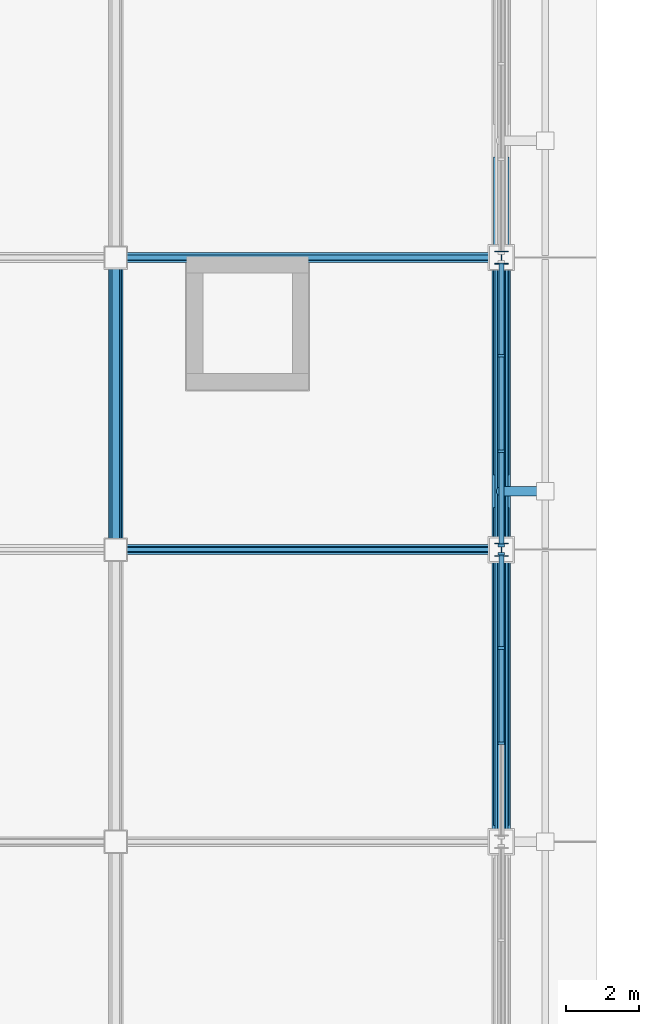
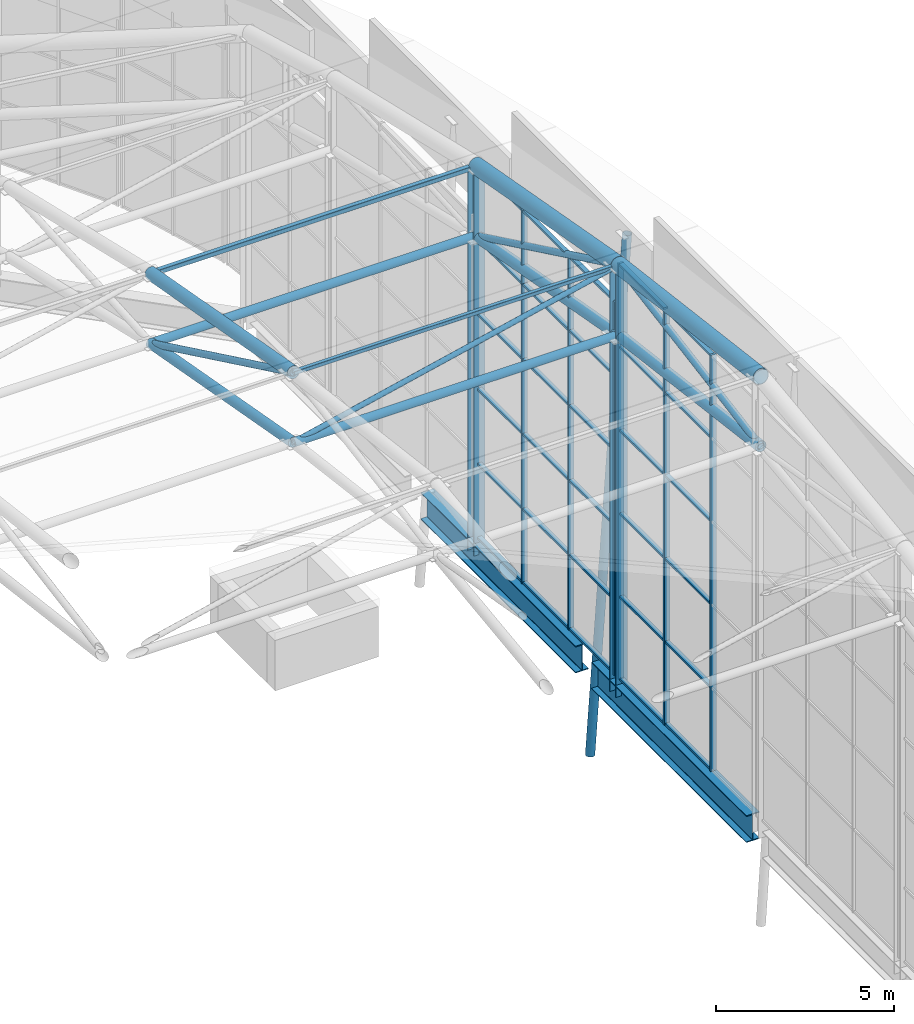
# One storey, part 25 of 42: 53 members, 2 beams, 2 elements without a shape of their own.
"""IFC4 building model written with IfcOpenShell, lengths in metres."""

from ifc_helpers import new_model, si_unit, direction, frame, origin, origin_2d, place, context, subcontext, project, spatial, rectangle, hollow_rectangle, hollow_circle, i_section, extrude, material, layer, layer_set, material_profile, profile_set, type_object, element, aggregate, save


model = new_model("IFC4")

# Units and contexts
model_context = context("Model", 3, precision=1e-05, world=origin(), true_north=direction((0.0, 1.0)))
body_context = subcontext(model_context, "Body", "Model", "MODEL_VIEW")
ifc_project = project(units=[si_unit("LENGTHUNIT", "METRE"), si_unit("AREAUNIT", "SQUARE_METRE"), si_unit("VOLUMEUNIT", "CUBIC_METRE"), si_unit("PLANEANGLEUNIT", "RADIAN"), si_unit("MASSUNIT", "GRAM", prefix="KILO")], contexts=[model_context])

# Site, building, storey
site_placement = place(None, origin())
site = spatial("IfcSite", under=ifc_project, at=site_placement, CompositionType="ELEMENT")
building_placement = place(site_placement, origin())
building = spatial("IfcBuilding", under=site, at=building_placement, Name="Caelomonte Colonnade Arena", CompositionType="ELEMENT")
storey_placement = place(building_placement, frame((0.0, 0.0, 28.199951171875)))
storey = spatial("IfcBuildingStorey", under=building, at=storey_placement, Name="RF", CompositionType="ELEMENT", Elevation=28.199951171875)

# Curtain wall, members
ifc_material_1 = material(Name="Bronze anodised aluminium and low-E glazing", Category="aluminium")
ifc_layer_1 = layer(ifc_material_1, 0.179931640625)
ifc_layer_set_1 = layer_set([ifc_layer_1], Name="Bronze anodised aluminium and low-E glazing")
curtain_wall_type_1 = type_object("IfcCurtainWallType", Name="ENV-CW-CW-TYMP-05", PredefinedType="USERDEFINED", material=ifc_layer_set_1)
curtain_wall_1_placement = place(storey_placement, origin())
curtain_wall_1 = element("IfcCurtainWall", 1, at=curtain_wall_1_placement, inside=storey, type_object=curtain_wall_type_1, Name="Barrel arch E clerestory tympanum curtain wall 5", ObjectType="UNITIZED CURTAIN WALL", PredefinedType="USERDEFINED")
ifc_material_2 = material(Name="Bronze anodised aluminium AA6063-T6", Category="aluminium")
ifc_material_profile_1 = material_profile(ifc_material_2, rectangle(XDim=0.070068359375, YDim=0.179931640625, at=origin_2d()), Name="CWM-70X180")
ifc_profile_set_1 = profile_set([ifc_material_profile_1], Name="Bronze anodised aluminium AA6063-T6")
member_type_1 = type_object("IfcMemberType", Name="ENV-CW-MULL1", PredefinedType="MULLION", material=ifc_profile_set_1)
member_1_placement = place(storey_placement, frame((163.199951171875, 69.893310546875, -0.14990234375), z_axis=(0.0, 0.0, 1.0), x_axis=(0.0, 1.0, 0.0)))
member_1 = element("IfcMember", 2, at=member_1_placement, type_object=member_type_1, Name="CW-TYMP-05 mullion 2", PredefinedType="MULLION", context=body_context, shape_type="SweptSolid", body=[
    extrude(rectangle(XDim=0.070068359375, YDim=0.179931640625, at=origin_2d()), origin(), (0.0, 0.0, 1.0), 14.284912109375),
])
member_2_placement = place(storey_placement, frame((163.199951171875, 72.506591796875, -0.14990234375), z_axis=(0.0, 0.0, 1.0), x_axis=(0.0, 1.0, 0.0)))
member_2 = element("IfcMember", 3, at=member_2_placement, type_object=member_type_1, Name="CW-TYMP-05 mullion 3", PredefinedType="MULLION", context=body_context, shape_type="SweptSolid", body=[
    extrude(rectangle(XDim=0.070068359375, YDim=0.179931640625, at=origin_2d()), origin(), (0.0, 0.0, 1.0), 14.284912109375),
])
member_3_placement = place(storey_placement, frame((163.199951171875, 75.0849609375, -0.14990234375), z_axis=(0.0, 0.0, 1.0), x_axis=(0.0, 1.0, 0.0)))
member_3 = element("IfcMember", 4, at=member_3_placement, type_object=member_type_1, Name="CW-TYMP-05 mullion 4", PredefinedType="MULLION", context=body_context, shape_type="SweptSolid", body=[
    extrude(rectangle(XDim=0.070068359375, YDim=0.179931640625, at=origin_2d()), origin(), (0.0, 0.0, 1.0), 14.284912109375),
])

ifc_layer_2 = layer(ifc_material_1, 0.179931640625)
ifc_layer_set_2 = layer_set([ifc_layer_2], Name="Bronze anodised aluminium and low-E glazing")
curtain_wall_type_2 = type_object("IfcCurtainWallType", Name="ENV-CW-CW-TYMP-06", PredefinedType="USERDEFINED", material=ifc_layer_set_2)
curtain_wall_2_placement = place(storey_placement, origin())
curtain_wall_2 = element("IfcCurtainWall", 5, at=curtain_wall_2_placement, inside=storey, type_object=curtain_wall_type_2, Name="Barrel arch E clerestory tympanum curtain wall 6", ObjectType="UNITIZED CURTAIN WALL", PredefinedType="USERDEFINED")
member_4_placement = place(storey_placement, frame((163.199951171875, 75.31494140625, -0.14990234375), z_axis=(0.0, 0.0, 1.0), x_axis=(0.0, 1.0, 0.0)))
member_4 = element("IfcMember", 6, at=member_4_placement, type_object=member_type_1, Name="CW-TYMP-06 mullion 1", PredefinedType="MULLION", context=body_context, shape_type="SweptSolid", body=[
    extrude(rectangle(XDim=0.070068359375, YDim=0.179931640625, at=origin_2d()), origin(), (0.0, 0.0, 1.0), 12.8359375),
])
member_5_placement = place(storey_placement, frame((163.199951171875, 77.893310546875, -0.14990234375), z_axis=(0.0, 0.0, 1.0), x_axis=(0.0, 1.0, 0.0)))
member_5 = element("IfcMember", 7, at=member_5_placement, type_object=member_type_1, Name="CW-TYMP-06 mullion 2", PredefinedType="MULLION", context=body_context, shape_type="SweptSolid", body=[
    extrude(rectangle(XDim=0.070068359375, YDim=0.179931640625, at=origin_2d()), origin(), (0.0, 0.0, 1.0), 12.8359375),
])
member_6_placement = place(storey_placement, frame((163.199951171875, 80.506591796875, -0.14990234375), z_axis=(0.0, 0.0, 1.0), x_axis=(0.0, 1.0, 0.0)))
member_6 = element("IfcMember", 8, at=member_6_placement, type_object=member_type_1, Name="CW-TYMP-06 mullion 3", PredefinedType="MULLION", context=body_context, shape_type="SweptSolid", body=[
    extrude(rectangle(XDim=0.070068359375, YDim=0.179931640625, at=origin_2d()), origin(), (0.0, 0.0, 1.0), 12.8359375),
])

# Member
ifc_material_profile_2 = material_profile(ifc_material_2, rectangle(XDim=0.070068359375, YDim=0.139892578125, at=origin_2d()), Name="CWT-70X140")
ifc_profile_set_2 = profile_set([ifc_material_profile_2], Name="Bronze anodised aluminium AA6063-T6")
member_type_2 = type_object("IfcMemberType", Name="ENV-CW-TRAN1", PredefinedType="USERDEFINED", material=ifc_profile_set_2)
member_7_placement = place(storey_placement, frame((163.199951171875, 69.92822265625, -0.114990234375), z_axis=(0.0, 1.0, 0.0), x_axis=(0.0, 0.0, 1.0)))
member_7 = element("IfcMember", 9, at=member_7_placement, type_object=member_type_2, Name="CW-TYMP-05 transom 2.1", ObjectType="TRANSOM", PredefinedType="USERDEFINED", context=body_context, shape_type="SweptSolid", body=[
    extrude(rectangle(XDim=0.070068359375, YDim=0.139892578125, at=origin_2d()), origin(), (0.0, 0.0, 1.0), 2.54345703125),
])

member_8_placement = place(storey_placement, frame((163.199951171875, 69.92822265625, 2.70703125), z_axis=(0.0, 1.0, 0.0), x_axis=(0.0, 0.0, 1.0)))
member_8 = element("IfcMember", 10, at=member_8_placement, type_object=member_type_2, Name="CW-TYMP-05 transom 2.2", ObjectType="TRANSOM", PredefinedType="USERDEFINED", context=body_context, shape_type="SweptSolid", body=[
    extrude(rectangle(XDim=0.070068359375, YDim=0.139892578125, at=origin_2d()), origin(), (0.0, 0.0, 1.0), 2.54345703125),
])

member_9_placement = place(storey_placement, frame((163.199951171875, 69.92822265625, 5.56396484375), z_axis=(0.0, 1.0, 0.0), x_axis=(0.0, 0.0, 1.0)))
member_9 = element("IfcMember", 11, at=member_9_placement, type_object=member_type_2, Name="CW-TYMP-05 transom 2.3", ObjectType="TRANSOM", PredefinedType="USERDEFINED", context=body_context, shape_type="SweptSolid", body=[
    extrude(rectangle(XDim=0.070068359375, YDim=0.139892578125, at=origin_2d()), origin(), (0.0, 0.0, 1.0), 2.54345703125),
])

member_10_placement = place(storey_placement, frame((163.199951171875, 69.92822265625, 8.421142578125), z_axis=(0.0, 1.0, 0.0), x_axis=(0.0, 0.0, 1.0)))
member_10 = element("IfcMember", 12, at=member_10_placement, type_object=member_type_2, Name="CW-TYMP-05 transom 2.4", ObjectType="TRANSOM", PredefinedType="USERDEFINED", context=body_context, shape_type="SweptSolid", body=[
    extrude(rectangle(XDim=0.070068359375, YDim=0.139892578125, at=origin_2d()), origin(), (0.0, 0.0, 1.0), 2.54345703125),
])

member_11_placement = place(storey_placement, frame((163.199951171875, 69.92822265625, 11.278076171875), z_axis=(0.0, 1.0, 0.0), x_axis=(0.0, 0.0, 1.0)))
member_11 = element("IfcMember", 13, at=member_11_placement, type_object=member_type_2, Name="CW-TYMP-05 transom 2.5", ObjectType="TRANSOM", PredefinedType="USERDEFINED", context=body_context, shape_type="SweptSolid", body=[
    extrude(rectangle(XDim=0.070068359375, YDim=0.139892578125, at=origin_2d()), origin(), (0.0, 0.0, 1.0), 2.54345703125),
])

member_12_placement = place(storey_placement, frame((163.199951171875, 69.92822265625, 14.10009765625), z_axis=(0.0, 1.0, 0.0), x_axis=(0.0, 0.0, 1.0)))
member_12 = element("IfcMember", 14, at=member_12_placement, type_object=member_type_2, Name="CW-TYMP-05 transom 2.6", ObjectType="TRANSOM", PredefinedType="USERDEFINED", context=body_context, shape_type="SweptSolid", body=[
    extrude(rectangle(XDim=0.070068359375, YDim=0.139892578125, at=origin_2d()), origin(), (0.0, 0.0, 1.0), 2.54345703125),
])

member_13_placement = place(storey_placement, frame((163.199951171875, 72.541748046875, -0.114990234375), z_axis=(0.0, 1.0, 0.0), x_axis=(0.0, 0.0, 1.0)))
member_13 = element("IfcMember", 15, at=member_13_placement, type_object=member_type_2, Name="CW-TYMP-05 transom 3.1", ObjectType="TRANSOM", PredefinedType="USERDEFINED", context=body_context, shape_type="SweptSolid", body=[
    extrude(rectangle(XDim=0.070068359375, YDim=0.139892578125, at=origin_2d()), origin(), (0.0, 0.0, 1.0), 2.50830078125),
])

member_14_placement = place(storey_placement, frame((163.199951171875, 72.541748046875, 2.70703125), z_axis=(0.0, 1.0, 0.0), x_axis=(0.0, 0.0, 1.0)))
member_14 = element("IfcMember", 16, at=member_14_placement, type_object=member_type_2, Name="CW-TYMP-05 transom 3.2", ObjectType="TRANSOM", PredefinedType="USERDEFINED", context=body_context, shape_type="SweptSolid", body=[
    extrude(rectangle(XDim=0.070068359375, YDim=0.139892578125, at=origin_2d()), origin(), (0.0, 0.0, 1.0), 2.50830078125),
])

member_15_placement = place(storey_placement, frame((163.199951171875, 72.541748046875, 5.56396484375), z_axis=(0.0, 1.0, 0.0), x_axis=(0.0, 0.0, 1.0)))
member_15 = element("IfcMember", 17, at=member_15_placement, type_object=member_type_2, Name="CW-TYMP-05 transom 3.3", ObjectType="TRANSOM", PredefinedType="USERDEFINED", context=body_context, shape_type="SweptSolid", body=[
    extrude(rectangle(XDim=0.070068359375, YDim=0.139892578125, at=origin_2d()), origin(), (0.0, 0.0, 1.0), 2.50830078125),
])

member_16_placement = place(storey_placement, frame((163.199951171875, 72.541748046875, 8.421142578125), z_axis=(0.0, 1.0, 0.0), x_axis=(0.0, 0.0, 1.0)))
member_16 = element("IfcMember", 18, at=member_16_placement, type_object=member_type_2, Name="CW-TYMP-05 transom 3.4", ObjectType="TRANSOM", PredefinedType="USERDEFINED", context=body_context, shape_type="SweptSolid", body=[
    extrude(rectangle(XDim=0.070068359375, YDim=0.139892578125, at=origin_2d()), origin(), (0.0, 0.0, 1.0), 2.50830078125),
])

member_17_placement = place(storey_placement, frame((163.199951171875, 72.541748046875, 11.278076171875), z_axis=(0.0, 1.0, 0.0), x_axis=(0.0, 0.0, 1.0)))
member_17 = element("IfcMember", 19, at=member_17_placement, type_object=member_type_2, Name="CW-TYMP-05 transom 3.5", ObjectType="TRANSOM", PredefinedType="USERDEFINED", context=body_context, shape_type="SweptSolid", body=[
    extrude(rectangle(XDim=0.070068359375, YDim=0.139892578125, at=origin_2d()), origin(), (0.0, 0.0, 1.0), 2.50830078125),
])

member_18_placement = place(storey_placement, frame((163.199951171875, 72.541748046875, 14.10009765625), z_axis=(0.0, 1.0, 0.0), x_axis=(0.0, 0.0, 1.0)))
member_18 = element("IfcMember", 20, at=member_18_placement, type_object=member_type_2, Name="CW-TYMP-05 transom 3.6", ObjectType="TRANSOM", PredefinedType="USERDEFINED", context=body_context, shape_type="SweptSolid", body=[
    extrude(rectangle(XDim=0.070068359375, YDim=0.139892578125, at=origin_2d()), origin(), (0.0, 0.0, 1.0), 2.50830078125),
])

aggregate(curtain_wall_1, [member_1, member_2, member_3, member_7, member_8, member_9, member_10, member_11, member_12, member_13, member_14, member_15, member_16, member_17, member_18])

member_19_placement = place(storey_placement, frame((163.199951171875, 75.35009765625, -0.114990234375), z_axis=(0.0, 1.0, 0.0), x_axis=(0.0, 0.0, 1.0)))
member_19 = element("IfcMember", 21, at=member_19_placement, type_object=member_type_2, Name="CW-TYMP-06 transom 1.1", ObjectType="TRANSOM", PredefinedType="USERDEFINED", context=body_context, shape_type="SweptSolid", body=[
    extrude(rectangle(XDim=0.070068359375, YDim=0.139892578125, at=origin_2d()), origin(), (0.0, 0.0, 1.0), 2.50830078125),
])

member_20_placement = place(storey_placement, frame((163.199951171875, 75.35009765625, 2.417236328125), z_axis=(0.0, 1.0, 0.0), x_axis=(0.0, 0.0, 1.0)))
member_20 = element("IfcMember", 22, at=member_20_placement, type_object=member_type_2, Name="CW-TYMP-06 transom 1.2", ObjectType="TRANSOM", PredefinedType="USERDEFINED", context=body_context, shape_type="SweptSolid", body=[
    extrude(rectangle(XDim=0.070068359375, YDim=0.139892578125, at=origin_2d()), origin(), (0.0, 0.0, 1.0), 2.50830078125),
])

member_21_placement = place(storey_placement, frame((163.199951171875, 75.35009765625, 4.984375), z_axis=(0.0, 1.0, 0.0), x_axis=(0.0, 0.0, 1.0)))
member_21 = element("IfcMember", 23, at=member_21_placement, type_object=member_type_2, Name="CW-TYMP-06 transom 1.3", ObjectType="TRANSOM", PredefinedType="USERDEFINED", context=body_context, shape_type="SweptSolid", body=[
    extrude(rectangle(XDim=0.070068359375, YDim=0.139892578125, at=origin_2d()), origin(), (0.0, 0.0, 1.0), 2.50830078125),
])

member_22_placement = place(storey_placement, frame((163.199951171875, 75.35009765625, 7.5517578125), z_axis=(0.0, 1.0, 0.0), x_axis=(0.0, 0.0, 1.0)))
member_22 = element("IfcMember", 24, at=member_22_placement, type_object=member_type_2, Name="CW-TYMP-06 transom 1.4", ObjectType="TRANSOM", PredefinedType="USERDEFINED", context=body_context, shape_type="SweptSolid", body=[
    extrude(rectangle(XDim=0.070068359375, YDim=0.139892578125, at=origin_2d()), origin(), (0.0, 0.0, 1.0), 2.50830078125),
])

member_23_placement = place(storey_placement, frame((163.199951171875, 75.35009765625, 10.118896484375), z_axis=(0.0, 1.0, 0.0), x_axis=(0.0, 0.0, 1.0)))
member_23 = element("IfcMember", 25, at=member_23_placement, type_object=member_type_2, Name="CW-TYMP-06 transom 1.5", ObjectType="TRANSOM", PredefinedType="USERDEFINED", context=body_context, shape_type="SweptSolid", body=[
    extrude(rectangle(XDim=0.070068359375, YDim=0.139892578125, at=origin_2d()), origin(), (0.0, 0.0, 1.0), 2.50830078125),
])

member_24_placement = place(storey_placement, frame((163.199951171875, 75.35009765625, 12.651123046875), z_axis=(0.0, 1.0, 0.0), x_axis=(0.0, 0.0, 1.0)))
member_24 = element("IfcMember", 26, at=member_24_placement, type_object=member_type_2, Name="CW-TYMP-06 transom 1.6", ObjectType="TRANSOM", PredefinedType="USERDEFINED", context=body_context, shape_type="SweptSolid", body=[
    extrude(rectangle(XDim=0.070068359375, YDim=0.139892578125, at=origin_2d()), origin(), (0.0, 0.0, 1.0), 2.50830078125),
])

member_25_placement = place(storey_placement, frame((163.199951171875, 77.92822265625, -0.114990234375), z_axis=(0.0, 1.0, 0.0), x_axis=(0.0, 0.0, 1.0)))
member_25 = element("IfcMember", 27, at=member_25_placement, type_object=member_type_2, Name="CW-TYMP-06 transom 2.1", ObjectType="TRANSOM", PredefinedType="USERDEFINED", context=body_context, shape_type="SweptSolid", body=[
    extrude(rectangle(XDim=0.070068359375, YDim=0.139892578125, at=origin_2d()), origin(), (0.0, 0.0, 1.0), 2.54345703125),
])

member_26_placement = place(storey_placement, frame((163.199951171875, 77.92822265625, 2.417236328125), z_axis=(0.0, 1.0, 0.0), x_axis=(0.0, 0.0, 1.0)))
member_26 = element("IfcMember", 28, at=member_26_placement, type_object=member_type_2, Name="CW-TYMP-06 transom 2.2", ObjectType="TRANSOM", PredefinedType="USERDEFINED", context=body_context, shape_type="SweptSolid", body=[
    extrude(rectangle(XDim=0.070068359375, YDim=0.139892578125, at=origin_2d()), origin(), (0.0, 0.0, 1.0), 2.54345703125),
])

member_27_placement = place(storey_placement, frame((163.199951171875, 77.92822265625, 4.984375), z_axis=(0.0, 1.0, 0.0), x_axis=(0.0, 0.0, 1.0)))
member_27 = element("IfcMember", 29, at=member_27_placement, type_object=member_type_2, Name="CW-TYMP-06 transom 2.3", ObjectType="TRANSOM", PredefinedType="USERDEFINED", context=body_context, shape_type="SweptSolid", body=[
    extrude(rectangle(XDim=0.070068359375, YDim=0.139892578125, at=origin_2d()), origin(), (0.0, 0.0, 1.0), 2.54345703125),
])

member_28_placement = place(storey_placement, frame((163.199951171875, 77.92822265625, 7.5517578125), z_axis=(0.0, 1.0, 0.0), x_axis=(0.0, 0.0, 1.0)))
member_28 = element("IfcMember", 30, at=member_28_placement, type_object=member_type_2, Name="CW-TYMP-06 transom 2.4", ObjectType="TRANSOM", PredefinedType="USERDEFINED", context=body_context, shape_type="SweptSolid", body=[
    extrude(rectangle(XDim=0.070068359375, YDim=0.139892578125, at=origin_2d()), origin(), (0.0, 0.0, 1.0), 2.54345703125),
])

member_29_placement = place(storey_placement, frame((163.199951171875, 77.92822265625, 10.118896484375), z_axis=(0.0, 1.0, 0.0), x_axis=(0.0, 0.0, 1.0)))
member_29 = element("IfcMember", 31, at=member_29_placement, type_object=member_type_2, Name="CW-TYMP-06 transom 2.5", ObjectType="TRANSOM", PredefinedType="USERDEFINED", context=body_context, shape_type="SweptSolid", body=[
    extrude(rectangle(XDim=0.070068359375, YDim=0.139892578125, at=origin_2d()), origin(), (0.0, 0.0, 1.0), 2.54345703125),
])

member_30_placement = place(storey_placement, frame((163.199951171875, 77.92822265625, 12.651123046875), z_axis=(0.0, 1.0, 0.0), x_axis=(0.0, 0.0, 1.0)))
member_30 = element("IfcMember", 32, at=member_30_placement, type_object=member_type_2, Name="CW-TYMP-06 transom 2.6", ObjectType="TRANSOM", PredefinedType="USERDEFINED", context=body_context, shape_type="SweptSolid", body=[
    extrude(rectangle(XDim=0.070068359375, YDim=0.139892578125, at=origin_2d()), origin(), (0.0, 0.0, 1.0), 2.54345703125),
])

member_31_placement = place(storey_placement, frame((163.199951171875, 80.541748046875, -0.114990234375), z_axis=(0.0, 1.0, 0.0), x_axis=(0.0, 0.0, 1.0)))
member_31 = element("IfcMember", 33, at=member_31_placement, type_object=member_type_2, Name="CW-TYMP-06 transom 3.1", ObjectType="TRANSOM", PredefinedType="USERDEFINED", context=body_context, shape_type="SweptSolid", body=[
    extrude(rectangle(XDim=0.070068359375, YDim=0.139892578125, at=origin_2d()), origin(), (0.0, 0.0, 1.0), 2.50830078125),
])

member_32_placement = place(storey_placement, frame((163.199951171875, 80.541748046875, 2.417236328125), z_axis=(0.0, 1.0, 0.0), x_axis=(0.0, 0.0, 1.0)))
member_32 = element("IfcMember", 34, at=member_32_placement, type_object=member_type_2, Name="CW-TYMP-06 transom 3.2", ObjectType="TRANSOM", PredefinedType="USERDEFINED", context=body_context, shape_type="SweptSolid", body=[
    extrude(rectangle(XDim=0.070068359375, YDim=0.139892578125, at=origin_2d()), origin(), (0.0, 0.0, 1.0), 2.50830078125),
])

member_33_placement = place(storey_placement, frame((163.199951171875, 80.541748046875, 4.984375), z_axis=(0.0, 1.0, 0.0), x_axis=(0.0, 0.0, 1.0)))
member_33 = element("IfcMember", 35, at=member_33_placement, type_object=member_type_2, Name="CW-TYMP-06 transom 3.3", ObjectType="TRANSOM", PredefinedType="USERDEFINED", context=body_context, shape_type="SweptSolid", body=[
    extrude(rectangle(XDim=0.070068359375, YDim=0.139892578125, at=origin_2d()), origin(), (0.0, 0.0, 1.0), 2.50830078125),
])

member_34_placement = place(storey_placement, frame((163.199951171875, 80.541748046875, 7.5517578125), z_axis=(0.0, 1.0, 0.0), x_axis=(0.0, 0.0, 1.0)))
member_34 = element("IfcMember", 36, at=member_34_placement, type_object=member_type_2, Name="CW-TYMP-06 transom 3.4", ObjectType="TRANSOM", PredefinedType="USERDEFINED", context=body_context, shape_type="SweptSolid", body=[
    extrude(rectangle(XDim=0.070068359375, YDim=0.139892578125, at=origin_2d()), origin(), (0.0, 0.0, 1.0), 2.50830078125),
])

member_35_placement = place(storey_placement, frame((163.199951171875, 80.541748046875, 10.118896484375), z_axis=(0.0, 1.0, 0.0), x_axis=(0.0, 0.0, 1.0)))
member_35 = element("IfcMember", 37, at=member_35_placement, type_object=member_type_2, Name="CW-TYMP-06 transom 3.5", ObjectType="TRANSOM", PredefinedType="USERDEFINED", context=body_context, shape_type="SweptSolid", body=[
    extrude(rectangle(XDim=0.070068359375, YDim=0.139892578125, at=origin_2d()), origin(), (0.0, 0.0, 1.0), 2.50830078125),
])

member_36_placement = place(storey_placement, frame((163.199951171875, 80.541748046875, 12.651123046875), z_axis=(0.0, 1.0, 0.0), x_axis=(0.0, 0.0, 1.0)))
member_36 = element("IfcMember", 38, at=member_36_placement, type_object=member_type_2, Name="CW-TYMP-06 transom 3.6", ObjectType="TRANSOM", PredefinedType="USERDEFINED", context=body_context, shape_type="SweptSolid", body=[
    extrude(rectangle(XDim=0.070068359375, YDim=0.139892578125, at=origin_2d()), origin(), (0.0, 0.0, 1.0), 2.50830078125),
])

aggregate(curtain_wall_2, [member_4, member_5, member_6, member_19, member_20, member_21, member_22, member_23, member_24, member_25, member_26, member_27, member_28, member_29, member_30, member_31, member_32, member_33, member_34, member_35, member_36])

# Beams
ifc_material_3 = material(Name="Wide-flange steel ASTM A992 Grade 50", Category="steel")
ifc_material_profile_3 = material_profile(ifc_material_3, i_section(OverallWidth=0.418212890625, OverallDepth=0.927001953125, WebThickness=0.019287109375, FlangeThickness=0.031982421875, FilletRadius=0.024169921875, at=origin_2d()), Name="W36X231")
ifc_profile_set_3 = profile_set([ifc_material_profile_3], Name="Wide-flange steel ASTM A992 Grade 50")
beam_type = type_object("IfcBeamType", Name="STR-BM-EAVES1", PredefinedType="SPANDREL", material=ifc_profile_set_3)
beam_1_placement = place(storey_placement, frame((163.199951171875, 67.649169921875, -0.743408203125), z_axis=(0.0, 1.0, 0.0), x_axis=(-1.0, 0.0, 0.0)))
element("IfcBeam", 39, at=beam_1_placement, inside=storey, type_object=beam_type, Name="RF girder BMY-RF-1632-0672", PredefinedType="SPANDREL", context=body_context, shape_type="SweptSolid", body=[
    extrude(i_section(OverallWidth=0.418212890625, OverallDepth=0.927001953125, WebThickness=0.019287109375, FlangeThickness=0.031982421875, FilletRadius=0.024169921875, at=origin_2d()), origin(), (0.0, 0.0, 1.0), 8.70166015625),
])
beam_2_placement = place(storey_placement, frame((163.199951171875, 77.249267578125, -0.743408203125), z_axis=(0.0, 1.0, 0.0), x_axis=(-1.0, 0.0, 0.0)))
element("IfcBeam", 40, at=beam_2_placement, inside=storey, type_object=beam_type, Name="RF girder BMY-RF-1632-0768", PredefinedType="SPANDREL", context=body_context, shape_type="SweptSolid", body=[
    extrude(i_section(OverallWidth=0.418212890625, OverallDepth=0.927001953125, WebThickness=0.019287109375, FlangeThickness=0.031982421875, FilletRadius=0.024169921875, at=origin_2d()), origin(), (0.0, 0.0, 1.0), 8.701416015625),
])

# Members
ifc_material_profile_4 = material_profile(ifc_material_3, i_section(OverallWidth=0.368896484375, OverallDepth=0.356201171875, WebThickness=0.01123046875, FlangeThickness=0.01806640625, FilletRadius=0.01513671875, at=origin_2d()), Name="W14X90")
ifc_profile_set_4 = profile_set([ifc_material_profile_4], Name="Wide-flange steel ASTM A992 Grade 50")
member_type_3 = type_object("IfcMemberType", Name="STR-CAT-STR", PredefinedType="STRUT", material=ifc_profile_set_4)
member_37_placement = place(storey_placement, frame((163.199951171875, 75.199951171875, -0.699951171875), z_axis=(0.0, 0.0, 1.0), x_axis=(1.0, 0.0, 0.0)))
element("IfcMember", 41, at=member_37_placement, inside=storey, type_object=member_type_3, Name="Roof truss eaves bearing post 10-7", PredefinedType="STRUT", context=body_context, shape_type="SweptSolid", body=[
    extrude(i_section(OverallWidth=0.368896484375, OverallDepth=0.356201171875, WebThickness=0.01123046875, FlangeThickness=0.01806640625, FilletRadius=0.01513671875, at=origin_2d()), origin(), (0.0, 0.0, 1.0), 14.68505859375),
])
member_38_placement = place(storey_placement, frame((163.199951171875, 83.199951171875, -0.699951171875), z_axis=(0.0, 0.0, 1.0), x_axis=(1.0, 0.0, 0.0)))
element("IfcMember", 42, at=member_38_placement, inside=storey, type_object=member_type_3, Name="Roof truss eaves bearing post 10-8", PredefinedType="STRUT", context=body_context, shape_type="SweptSolid", body=[
    extrude(i_section(OverallWidth=0.368896484375, OverallDepth=0.356201171875, WebThickness=0.01123046875, FlangeThickness=0.01806640625, FilletRadius=0.01513671875, at=origin_2d()), origin(), (0.0, 0.0, 1.0), 13.236083984375),
])
ifc_material_4 = material(Name="Steel ASTM A500 Grade C", Category="steel")
ifc_material_profile_5 = material_profile(ifc_material_4, hollow_circle(Radius=0.177734375, WallThickness=0.0126953125, at=origin_2d()), Name="CHS355.6X12.7")
ifc_profile_set_5 = profile_set([ifc_material_profile_5], Name="Steel ASTM A500 Grade C")
member_type_4 = type_object("IfcMemberType", Name="STR-SF-BC1", PredefinedType="CHORD", material=ifc_profile_set_5)
member_39_placement = place(storey_placement, frame((163.199951171875, 67.201904296875, 12.599853515625), z_axis=(0.0, 0.992048803131, -0.125853773113), x_axis=(-1.0, 0.0, 0.0)))
element("IfcMember", 43, at=member_39_placement, inside=storey, type_object=member_type_4, Name="Arched roof truss bottom chord 10-6", PredefinedType="CHORD", context=body_context, shape_type="SweptSolid", body=[
    extrude(hollow_circle(Radius=0.177734375, WallThickness=0.0126953125, at=origin_2d()), origin(), (0.0, 0.0, 1.0), 8.060302734375),
])
member_40_placement = place(storey_placement, frame((163.199951171875, 75.201904296875, 11.584716796875), z_axis=(0.0, 0.983990820662, -0.178219148393), x_axis=(-1.0, 0.0, 0.0)))
element("IfcMember", 44, at=member_40_placement, inside=storey, type_object=member_type_4, Name="Arched roof truss bottom chord 10-7", PredefinedType="CHORD", context=body_context, shape_type="SweptSolid", body=[
    extrude(hollow_circle(Radius=0.177734375, WallThickness=0.0126953125, at=origin_2d()), origin(), (0.0, 0.0, 1.0), 8.126220703125),
])
ifc_material_profile_6 = material_profile(ifc_material_4, hollow_circle(Radius=0.161865234375, WallThickness=0.010009765625, at=origin_2d()), Name="CHS323.9X10.0")
ifc_profile_set_6 = profile_set([ifc_material_profile_6], Name="Steel ASTM A500 Grade C")
member_type_5 = type_object("IfcMemberType", Name="STR-SF-BC2", PredefinedType="CHORD", material=ifc_profile_set_6)
member_41_placement = place(storey_placement, frame((152.639892578125, 75.201904296875, 11.584716796875), z_axis=(0.0, 0.983990820662, -0.178219148393), x_axis=(-1.0, 0.0, 0.0)))
element("IfcMember", 45, at=member_41_placement, inside=storey, type_object=member_type_5, Name="Arched roof truss bottom chord 9-7", PredefinedType="CHORD", context=body_context, shape_type="SweptSolid", body=[
    extrude(hollow_circle(Radius=0.161865234375, WallThickness=0.010009765625, at=origin_2d()), origin(), (0.0, 0.0, 1.0), 8.126220703125),
])
ifc_material_profile_7 = material_profile(ifc_material_4, hollow_rectangle(XDim=0.15234375, YDim=0.15234375, WallThickness=0.008056640625, InnerFilletRadius=0.008056640625, OuterFilletRadius=0.01611328125, at=origin_2d()), Name="HSS152X152X8.0")
ifc_profile_set_7 = profile_set([ifc_material_profile_7], Name="Steel ASTM A500 Grade C")
member_type_6 = type_object("IfcMemberType", Name="STR-SF-PUR2", PredefinedType="PURLIN", material=ifc_profile_set_7)
member_42_placement = place(storey_placement, frame((152.64208984375, 83.199951171875, 12.5361328125), z_axis=(1.0, 0.0, 0.0), x_axis=(0.0, 1.0, 0.0)))
element("IfcMember", 46, at=member_42_placement, inside=storey, type_object=member_type_6, Name="Arched roof purlin 9-8", PredefinedType="PURLIN", context=body_context, shape_type="SweptSolid", body=[
    extrude(hollow_rectangle(XDim=0.15234375, YDim=0.15234375, WallThickness=0.008056640625, InnerFilletRadius=0.008056640625, OuterFilletRadius=0.01611328125, at=origin_2d()), origin(), (0.0, 0.0, 1.0), 10.555908203125),
])
ifc_material_profile_8 = material_profile(ifc_material_4, hollow_rectangle(XDim=0.126953125, YDim=0.126953125, WallThickness=0.00634765625, InnerFilletRadius=0.00634765625, OuterFilletRadius=0.0126953125, at=origin_2d()), Name="HSS127X127X6.4")
ifc_profile_set_8 = profile_set([ifc_material_profile_8], Name="Steel ASTM A500 Grade C")
member_type_7 = type_object("IfcMemberType", Name="STR-SF-PUR3", PredefinedType="PURLIN", material=ifc_profile_set_8)
member_43_placement = place(storey_placement, frame((152.64208984375, 75.199951171875, 13.985107421875), z_axis=(1.0, 0.0, 0.0), x_axis=(0.0, 1.0, 0.0)))
element("IfcMember", 47, at=member_43_placement, inside=storey, type_object=member_type_7, Name="Arched roof purlin 9-7", PredefinedType="PURLIN", context=body_context, shape_type="SweptSolid", body=[
    extrude(hollow_rectangle(XDim=0.126953125, YDim=0.126953125, WallThickness=0.00634765625, InnerFilletRadius=0.00634765625, OuterFilletRadius=0.0126953125, at=origin_2d()), origin(), (0.0, 0.0, 1.0), 10.555908203125),
])
ifc_material_profile_9 = material_profile(ifc_material_4, hollow_circle(Radius=0.25390625, WallThickness=0.015869140625, at=origin_2d()), Name="CHS508X15.9")
ifc_profile_set_9 = profile_set([ifc_material_profile_9], Name="Steel ASTM A500 Grade C")
member_type_8 = type_object("IfcMemberType", Name="STR-SF-TC1", PredefinedType="CHORD", material=ifc_profile_set_9)
member_44_placement = place(storey_placement, frame((163.199951171875, 67.201904296875, 14.999755859375), z_axis=(0.0, 0.992048803131, -0.125853773113), x_axis=(-1.0, 0.0, 0.0)))
element("IfcMember", 48, at=member_44_placement, inside=storey, type_object=member_type_8, Name="Arched roof truss top chord 10-6", PredefinedType="CHORD", context=body_context, shape_type="SweptSolid", body=[
    extrude(hollow_circle(Radius=0.25390625, WallThickness=0.015869140625, at=origin_2d()), origin(), (0.0, 0.0, 1.0), 8.060302734375),
])
member_45_placement = place(storey_placement, frame((163.199951171875, 75.201904296875, 13.984619140625), z_axis=(0.0, 0.983990820662, -0.178219148393), x_axis=(-1.0, 0.0, 0.0)))
element("IfcMember", 49, at=member_45_placement, inside=storey, type_object=member_type_8, Name="Arched roof truss top chord 10-7", PredefinedType="CHORD", context=body_context, shape_type="SweptSolid", body=[
    extrude(hollow_circle(Radius=0.25390625, WallThickness=0.015869140625, at=origin_2d()), origin(), (0.0, 0.0, 1.0), 8.126220703125),
])
ifc_material_profile_10 = material_profile(ifc_material_4, hollow_circle(Radius=0.203125, WallThickness=0.0126953125, at=origin_2d()), Name="CHS406.4X12.7")
ifc_profile_set_10 = profile_set([ifc_material_profile_10], Name="Steel ASTM A500 Grade C")
member_type_9 = type_object("IfcMemberType", Name="STR-SF-TC2", PredefinedType="CHORD", material=ifc_profile_set_10)
member_46_placement = place(storey_placement, frame((152.639892578125, 75.201904296875, 13.984619140625), z_axis=(0.0, 0.983990820662, -0.178219148393), x_axis=(-1.0, 0.0, 0.0)))
element("IfcMember", 50, at=member_46_placement, inside=storey, type_object=member_type_9, Name="Arched roof truss top chord 9-7", PredefinedType="CHORD", context=body_context, shape_type="SweptSolid", body=[
    extrude(hollow_circle(Radius=0.203125, WallThickness=0.0126953125, at=origin_2d()), origin(), (0.0, 0.0, 1.0), 8.126220703125),
])
ifc_material_profile_11 = material_profile(ifc_material_4, hollow_circle(Radius=0.136474609375, WallThickness=0.00927734375, at=origin_2d()), Name="CHS273.0X9.3")
ifc_profile_set_11 = profile_set([ifc_material_profile_11], Name="Steel ASTM A500 Grade C")
member_type_10 = type_object("IfcMemberType", Name="STR-SF-TIE", PredefinedType="STRUT", material=ifc_profile_set_11)
for number, where, z_axis, x_axis, name in (
    (51, (152.64208984375, 75.199951171875, 11.5849609375), (1.0, 0.0, 0.0), (0.0, 1.0, 0.0), "Space frame roof tie strut 9-7"),
    (52, (152.64208984375, 83.199951171875, 10.135986328125), (1.0, 0.0, 0.0), (0.0, 1.0, 0.0), "Space frame roof tie strut 9-8"),
):
    element("IfcMember", number, at=place(storey_placement, frame(where, z_axis=z_axis, x_axis=x_axis)), inside=storey, type_object=member_type_10, Name=name, PredefinedType="STRUT", context=body_context, shape_type="SweptSolid", body=[
        extrude(hollow_circle(Radius=0.136474609375, WallThickness=0.00927734375, at=origin_2d()), origin(), (0.0, 0.0, 1.0), 10.555908203125),
    ])
member_47_placement = place(storey_placement, frame((163.2001953125, 76.800048828125, -3.7978515625), z_axis=(0.068488307381, 0.0, 0.997651919134), x_axis=(0.0, 1.0, 0.0)))
element("IfcMember", 53, at=member_47_placement, inside=storey, type_object=member_type_10, Name="Roof eaves overhang inclined strut 8", PredefinedType="STRUT", context=body_context, shape_type="SweptSolid", body=[
    extrude(hollow_circle(Radius=0.136474609375, WallThickness=0.00927734375, at=origin_2d()), origin(), (0.0, 0.0, 1.0), 17.516845703125),
])
ifc_material_profile_12 = material_profile(ifc_material_4, hollow_circle(Radius=0.109619140625, WallThickness=0.00830078125, at=origin_2d()), Name="CHS219.1X8.2")
ifc_profile_set_12 = profile_set([ifc_material_profile_12], Name="Steel ASTM A500 Grade C")
member_type_11 = type_object("IfcMemberType", Name="STR-SF-WEB1", PredefinedType="BRACE", material=ifc_profile_set_12)
member_48_placement = place(storey_placement, frame((152.639892578125, 75.201904296875, 13.984130859375), z_axis=(0.0, 0.901130279028, -0.433548405854), x_axis=(-1.0, 0.0, 0.0)))
element("IfcMember", 54, at=member_48_placement, inside=storey, type_object=member_type_11, Name="Space frame roof truss web diagonal 9-7", PredefinedType="BRACE", context=body_context, shape_type="SweptSolid", body=[
    extrude(hollow_circle(Radius=0.109619140625, WallThickness=0.00830078125, at=origin_2d()), origin(), (0.0, 0.0, 1.0), 8.873779296875),
])
member_49_placement = place(storey_placement, frame((163.199951171875, 67.201904296875, 12.600341796875), z_axis=(0.0, 0.985338447855, 0.1706110875), x_axis=(-1.0, 0.0, 0.0)))
element("IfcMember", 55, at=member_49_placement, inside=storey, type_object=member_type_11, Name="Space frame roof truss web diagonal 10-6", PredefinedType="BRACE", context=body_context, shape_type="SweptSolid", body=[
    extrude(hollow_circle(Radius=0.109619140625, WallThickness=0.00830078125, at=origin_2d()), origin(), (0.0, 0.0, 1.0), 8.114990234375),
])
member_50_placement = place(storey_placement, frame((163.199951171875, 75.201904296875, 13.984130859375), z_axis=(0.0, 0.901130279028, -0.433548405854), x_axis=(-1.0, 0.0, 0.0)))
element("IfcMember", 56, at=member_50_placement, inside=storey, type_object=member_type_11, Name="Space frame roof truss web diagonal 10-7", PredefinedType="BRACE", context=body_context, shape_type="SweptSolid", body=[
    extrude(hollow_circle(Radius=0.109619140625, WallThickness=0.00830078125, at=origin_2d()), origin(), (0.0, 0.0, 1.0), 8.873779296875),
])
ifc_material_profile_13 = material_profile(ifc_material_4, hollow_circle(Radius=0.084228515625, WallThickness=0.007080078125, at=origin_2d()), Name="CHS168.3X7.1")
ifc_profile_set_13 = profile_set([ifc_material_profile_13], Name="Steel ASTM A500 Grade C")
member_type_12 = type_object("IfcMemberType", Name="STR-SF-WEB2", PredefinedType="BRACE", material=ifc_profile_set_13)
member_51_placement = place(storey_placement, frame((152.64208984375, 75.199951171875, 11.58544921875), z_axis=(0.975130861858, 0.0, 0.221629876714), x_axis=(0.0, 1.0, 0.0)))
element("IfcMember", 57, at=member_51_placement, inside=storey, type_object=member_type_12, Name="Space frame transverse diagonal 9-7", PredefinedType="BRACE", context=body_context, shape_type="SweptSolid", body=[
    extrude(hollow_circle(Radius=0.084228515625, WallThickness=0.007080078125, at=origin_2d()), origin(), (0.0, 0.0, 1.0), 10.8251953125),
])

save(model, "model.ifc")
